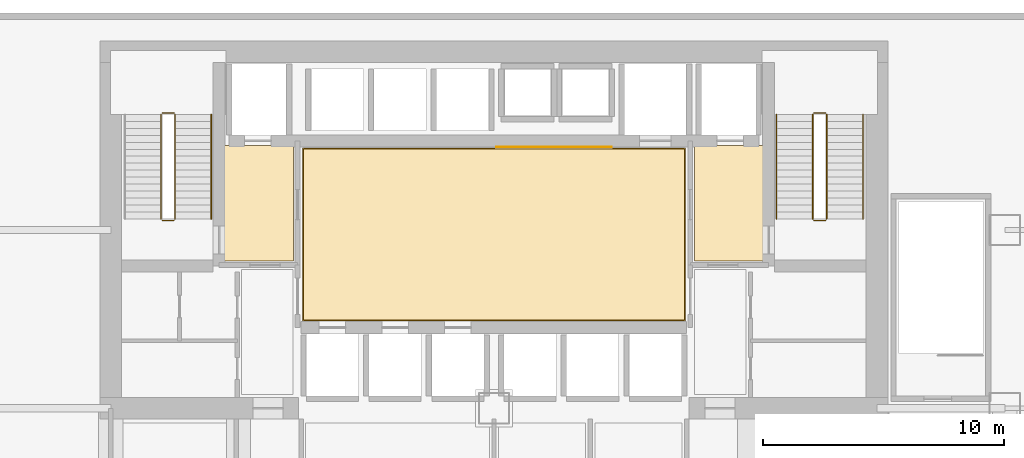
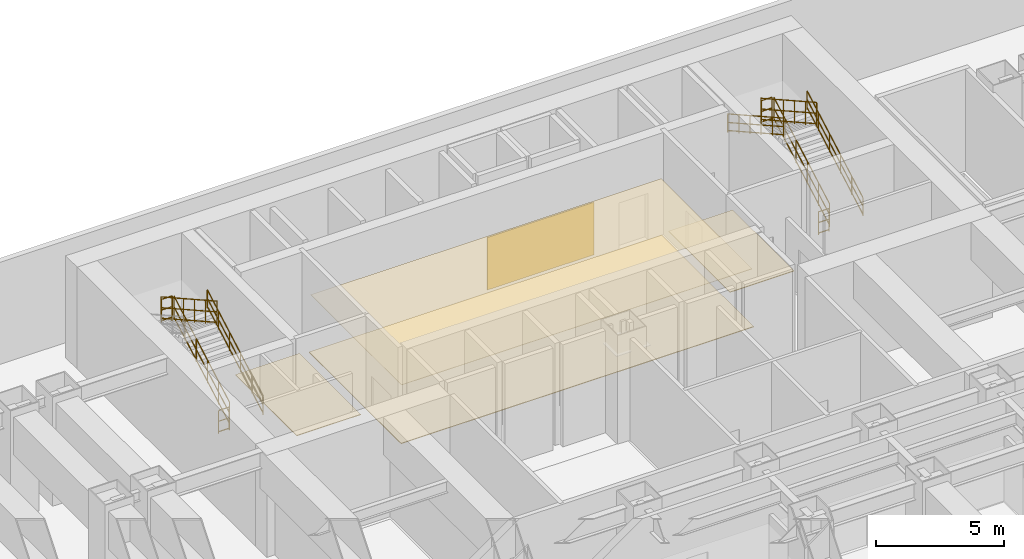
# One storey, part 12 of 12: 11 railings, 5 coverings.
"""IFC4 building model written with IfcOpenShell, lengths in metres."""

from ifc_helpers import new_model, si_unit, direction, frame, origin, origin_2d, place, context, subcontext, project, spatial, polyline, circle, outline, extrude, material, layer, layer_set, type_object, element, save


model = new_model("IFC4")

# Units and contexts
model_context = context("Model", 3, precision=1e-05, world=origin(), true_north=direction((0.0, 1.0)))
body_context = subcontext(model_context, "Body", "Model", "MODEL_VIEW")
ifc_project = project(units=[si_unit("LENGTHUNIT", "METRE"), si_unit("AREAUNIT", "SQUARE_METRE"), si_unit("VOLUMEUNIT", "CUBIC_METRE"), si_unit("PLANEANGLEUNIT", "RADIAN"), si_unit("MASSUNIT", "GRAM", prefix="KILO")], contexts=[model_context])

# Site, building, storey
site_placement = place(None, origin())
site = spatial("IfcSite", under=ifc_project, at=site_placement, CompositionType="ELEMENT")
building_placement = place(site_placement, origin())
building = spatial("IfcBuilding", under=site, at=building_placement, Name="Qianlan Lanfeng Residences", CompositionType="ELEMENT")
storey_placement = place(building_placement, frame((0.0, 0.0, 19.0)))
storey = spatial("IfcBuildingStorey", under=building, at=storey_placement, Name="L04", CompositionType="ELEMENT", Elevation=19.0)

# Coverings
ifc_material_1 = material(Name="Anodised Bronze Feature Wall Cladding")
ifc_layer_1 = layer(ifc_material_1, 0.02490234375)
ifc_layer_set_1 = layer_set([ifc_layer_1], Name="Anodised Bronze Feature Wall Cladding")
covering_type_1 = type_object("IfcCoveringType", Name="CLD-BRZ-25", PredefinedType="CLADDING", material=ifc_layer_set_1)
covering_1_placement = place(storey_placement, frame((0.0, 0.0, 0.14990234375)))
element("IfcCovering", 1, at=covering_1_placement, inside=storey, type_object=covering_type_1, Name="L04 Lift Lobby Bronze Feature Cladding", PredefinedType="CLADDING", context=body_context, shape_type="SweptSolid", body=[
    extrude(outline(polyline([(26.60009765625, 36.02490234375), (31.39990234375, 36.02490234375), (31.39990234375, 36.050048828125), (26.60009765625, 36.050048828125), (26.60009765625, 36.02490234375)])), origin(), (0.0, 0.0, 1.0), 2.5),
])
ifc_material_2 = material(Name="Acoustic Perforated Gypsum Ceiling Board")
ifc_layer_2 = layer(ifc_material_2, 0.02001953125)
ifc_layer_set_2 = layer_set([ifc_layer_2], Name="Acoustic Perforated Gypsum Ceiling Board")
covering_type_2 = type_object("IfcCoveringType", Name="CLG-GYP-15", PredefinedType="CEILING", material=ifc_layer_set_2)
covering_2_placement = place(storey_placement, frame((0.0, 0.0, 2.75)))
element("IfcCovering", 2, at=covering_2_placement, inside=storey, type_object=covering_type_2, Name="L04 Lift Lobby Suspended Ceiling", PredefinedType="CEILING", context=body_context, shape_type="SweptSolid", body=[
    extrude(outline(polyline([(18.60009765625, 28.8701171875), (34.39990234375, 28.8701171875), (34.39990234375, 35.9599609375), (18.60009765625, 35.9599609375), (18.60009765625, 28.8701171875)])), origin(), (0.0, 0.0, 1.0), 0.02001953125),
])
ifc_material_3 = material(Name="Honed Taitung Granite Stone Flooring", Category="masonry")
ifc_layer_3 = layer(ifc_material_3, 0.030029296875)
ifc_layer_set_3 = layer_set([ifc_layer_3], Name="Honed Taitung Granite Stone Flooring")
covering_type_3 = type_object("IfcCoveringType", Name="FLR-STN-30", PredefinedType="FLOORING", material=ifc_layer_set_3)
covering_3_placement = place(storey_placement, origin())
element("IfcCovering", 3, at=covering_3_placement, inside=storey, type_object=covering_type_3, Name="L04 Firefighting Lift Lobby Floor Finish", PredefinedType="FLOORING", context=body_context, shape_type="SweptSolid", body=[
    extrude(outline(polyline([(15.2900390625, 31.320068359375), (18.179931640625, 31.320068359375), (18.179931640625, 36.110107421875), (15.2900390625, 36.110107421875), (15.2900390625, 31.320068359375)])), origin(), (0.0, 0.0, 1.0), 0.030029296875),
])
covering_4_placement = place(storey_placement, origin())
element("IfcCovering", 4, at=covering_4_placement, inside=storey, type_object=covering_type_3, Name="L04 Firefighting Lift Lobby Floor Finish", PredefinedType="FLOORING", context=body_context, shape_type="SweptSolid", body=[
    extrude(outline(polyline([(34.820068359375, 31.320068359375), (37.7099609375, 31.320068359375), (37.7099609375, 36.110107421875), (34.820068359375, 36.110107421875), (34.820068359375, 31.320068359375)])), origin(), (0.0, 0.0, 1.0), 0.030029296875),
])
covering_5_placement = place(storey_placement, origin())
element("IfcCovering", 5, at=covering_5_placement, inside=storey, type_object=covering_type_3, Name="L04 Lift Lobby Floor Finish", PredefinedType="FLOORING", context=body_context, shape_type="SweptSolid", body=[
    extrude(outline(polyline([(18.550048828125, 28.820068359375), (34.449951171875, 28.820068359375), (34.449951171875, 36.010009765625), (18.550048828125, 36.010009765625), (18.550048828125, 28.820068359375)])), origin(), (0.0, 0.0, 1.0), 0.030029296875),
])

# Railings
ifc_material_4 = material(Name="Painted Galvanised Steel Guardrail", Category="steel")
railing_type_1 = type_object("IfcRailingType", Name="GR-ST-1120", PredefinedType="GUARDRAIL", material=ifc_material_4)
railing_1_placement = place(storey_placement, frame((13.27001953125, 33.050048828125, 0.16259765625)))
element("IfcRailing", 6, at=railing_1_placement, inside=storey, type_object=railing_type_1, Name="L04 ST-1 stair guard 1", PredefinedType="GUARDRAIL", context=body_context, shape_type="SweptSolid", body=[
    extrude(circle(Radius=0.02392578125, at=origin_2d()), frame((0.0, 0.0, 0.083984375), z_axis=(0.0, 0.872370723449, 0.488844884263), x_axis=(-1.0, 0.0, 0.0)), (0.0, 0.0, 1.0), 4.986328125),
    extrude(circle(Radius=0.02392578125, at=origin_2d()), frame((0.0, 0.0, 0.58251953125), z_axis=(0.0, 0.872370723449, 0.488844884263), x_axis=(-1.0, 0.0, 0.0)), (0.0, 0.0, 1.0), 4.986328125),
    extrude(circle(Radius=0.02392578125, at=origin_2d()), frame((0.0, 0.0, 1.09619140625), z_axis=(0.0, 0.872370723449, 0.488844884263), x_axis=(-1.0, 0.0, 0.0)), (0.0, 0.0, 1.0), 4.986328125),
    extrude(circle(Radius=0.02099609375, at=origin_2d()), origin(), (0.0, 0.0, 1.0), 1.072021484375),
    extrude(circle(Radius=0.02099609375, at=origin_2d()), frame((0.0, 0.869873046875, 0.487548828125)), (0.0, 0.0, 1.0), 1.072021484375),
    extrude(circle(Radius=0.02099609375, at=origin_2d()), frame((0.0, 1.739990234375, 0.97509765625)), (0.0, 0.0, 1.0), 1.072021484375),
    extrude(circle(Radius=0.02099609375, at=origin_2d()), frame((0.0, 2.60986328125, 1.46240234375)), (0.0, 0.0, 1.0), 1.072021484375),
    extrude(circle(Radius=0.02099609375, at=origin_2d()), frame((0.0, 3.47998046875, 1.949951171875)), (0.0, 0.0, 1.0), 1.072021484375),
    extrude(circle(Radius=0.02099609375, at=origin_2d()), frame((0.0, 4.349853515625, 2.4375)), (0.0, 0.0, 1.0), 1.072021484375),
])
railing_2_placement = place(storey_placement, frame((13.219970703125, 37.449951171875, 2.60009765625)))
element("IfcRailing", 7, at=railing_2_placement, inside=storey, type_object=railing_type_1, Name="L04 ST-1 stair guard 2", PredefinedType="GUARDRAIL", context=body_context, shape_type="SweptSolid", body=[
    extrude(circle(Radius=0.02392578125, at=origin_2d()), frame((0.0, 0.0, 0.083984375), z_axis=(-1.0, 0.0, 0.0), x_axis=(0.0, -1.0, 0.0)), (0.0, 0.0, 1.0), 0.47998046875),
    extrude(circle(Radius=0.02392578125, at=origin_2d()), frame((0.0, 0.0, 0.58251953125), z_axis=(-1.0, 0.0, 0.0), x_axis=(0.0, -1.0, 0.0)), (0.0, 0.0, 1.0), 0.47998046875),
    extrude(circle(Radius=0.02392578125, at=origin_2d()), frame((0.0, 0.0, 1.09619140625), z_axis=(-1.0, 0.0, 0.0), x_axis=(0.0, -1.0, 0.0)), (0.0, 0.0, 1.0), 0.47998046875),
    extrude(circle(Radius=0.02099609375, at=origin_2d()), origin(), (0.0, 0.0, 1.0), 1.072021484375),
    extrude(circle(Radius=0.02099609375, at=origin_2d()), frame((-0.47998046875, 0.0, 0.0)), (0.0, 0.0, 1.0), 1.072021484375),
])
railing_3_placement = place(storey_placement, frame((12.68994140625, 37.39990234375, 2.762451171875)))
element("IfcRailing", 8, at=railing_3_placement, inside=storey, type_object=railing_type_1, Name="L04 ST-1 stair guard 3", PredefinedType="GUARDRAIL", context=body_context, shape_type="SweptSolid", body=[
    extrude(circle(Radius=0.02392578125, at=origin_2d()), frame((0.0, 0.0, 0.083984375), z_axis=(0.0, -0.872370723449, 0.488844884263), x_axis=(1.0, 0.0, 0.0)), (0.0, 0.0, 1.0), 4.986328125),
    extrude(circle(Radius=0.02392578125, at=origin_2d()), frame((0.0, 0.0, 0.58251953125), z_axis=(0.0, -0.872370723449, 0.488844884263), x_axis=(1.0, 0.0, 0.0)), (0.0, 0.0, 1.0), 4.986328125),
    extrude(circle(Radius=0.02392578125, at=origin_2d()), frame((0.0, 0.0, 1.09619140625), z_axis=(0.0, -0.872370723449, 0.488844884263), x_axis=(1.0, 0.0, 0.0)), (0.0, 0.0, 1.0), 4.986328125),
    extrude(circle(Radius=0.02099609375, at=origin_2d()), origin(), (0.0, 0.0, 1.0), 1.072021484375),
    extrude(circle(Radius=0.02099609375, at=origin_2d()), frame((0.0, -0.869873046875, 0.487548828125)), (0.0, 0.0, 1.0), 1.072021484375),
    extrude(circle(Radius=0.02099609375, at=origin_2d()), frame((0.0, -1.739990234375, 0.97509765625)), (0.0, 0.0, 1.0), 1.072021484375),
    extrude(circle(Radius=0.02099609375, at=origin_2d()), frame((0.0, -2.60986328125, 1.46240234375)), (0.0, 0.0, 1.0), 1.072021484375),
    extrude(circle(Radius=0.02099609375, at=origin_2d()), frame((0.0, -3.47998046875, 1.949951171875)), (0.0, 0.0, 1.0), 1.072021484375),
    extrude(circle(Radius=0.02099609375, at=origin_2d()), frame((0.0, -4.349853515625, 2.4375)), (0.0, 0.0, 1.0), 1.072021484375),
])
railing_4_placement = place(storey_placement, frame((13.219970703125, 33.0, 0.0)))
element("IfcRailing", 9, at=railing_4_placement, inside=storey, type_object=railing_type_1, Name="L04 ST-1 stair guard 4", PredefinedType="GUARDRAIL", context=body_context, shape_type="SweptSolid", body=[
    extrude(circle(Radius=0.02392578125, at=origin_2d()), frame((0.0, 0.0, 0.083984375), z_axis=(-1.0, 0.0, 0.0), x_axis=(0.0, -1.0, 0.0)), (0.0, 0.0, 1.0), 0.47998046875),
    extrude(circle(Radius=0.02392578125, at=origin_2d()), frame((0.0, 0.0, 0.58251953125), z_axis=(-1.0, 0.0, 0.0), x_axis=(0.0, -1.0, 0.0)), (0.0, 0.0, 1.0), 0.47998046875),
    extrude(circle(Radius=0.02392578125, at=origin_2d()), frame((0.0, 0.0, 1.09619140625), z_axis=(-1.0, 0.0, 0.0), x_axis=(0.0, -1.0, 0.0)), (0.0, 0.0, 1.0), 0.47998046875),
    extrude(circle(Radius=0.02099609375, at=origin_2d()), origin(), (0.0, 0.0, 1.0), 1.072021484375),
    extrude(circle(Radius=0.02099609375, at=origin_2d()), frame((-0.47998046875, 0.0, 0.0)), (0.0, 0.0, 1.0), 1.072021484375),
])
railing_5_placement = place(storey_placement, frame((40.31005859375, 33.050048828125, 0.16259765625)))
element("IfcRailing", 10, at=railing_5_placement, inside=storey, type_object=railing_type_1, Name="L04 ST-2 stair guard 1", PredefinedType="GUARDRAIL", context=body_context, shape_type="SweptSolid", body=[
    extrude(circle(Radius=0.02392578125, at=origin_2d()), frame((0.0, 0.0, 0.083984375), z_axis=(0.0, 0.872370723449, 0.488844884263), x_axis=(-1.0, 0.0, 0.0)), (0.0, 0.0, 1.0), 4.986328125),
    extrude(circle(Radius=0.02392578125, at=origin_2d()), frame((0.0, 0.0, 0.58251953125), z_axis=(0.0, 0.872370723449, 0.488844884263), x_axis=(-1.0, 0.0, 0.0)), (0.0, 0.0, 1.0), 4.986328125),
    extrude(circle(Radius=0.02392578125, at=origin_2d()), frame((0.0, 0.0, 1.09619140625), z_axis=(0.0, 0.872370723449, 0.488844884263), x_axis=(-1.0, 0.0, 0.0)), (0.0, 0.0, 1.0), 4.986328125),
    extrude(circle(Radius=0.02099609375, at=origin_2d()), origin(), (0.0, 0.0, 1.0), 1.072021484375),
    extrude(circle(Radius=0.02099609375, at=origin_2d()), frame((0.0, 0.869873046875, 0.487548828125)), (0.0, 0.0, 1.0), 1.072021484375),
    extrude(circle(Radius=0.02099609375, at=origin_2d()), frame((0.0, 1.739990234375, 0.97509765625)), (0.0, 0.0, 1.0), 1.072021484375),
    extrude(circle(Radius=0.02099609375, at=origin_2d()), frame((0.0, 2.60986328125, 1.46240234375)), (0.0, 0.0, 1.0), 1.072021484375),
    extrude(circle(Radius=0.02099609375, at=origin_2d()), frame((0.0, 3.47998046875, 1.949951171875)), (0.0, 0.0, 1.0), 1.072021484375),
    extrude(circle(Radius=0.02099609375, at=origin_2d()), frame((0.0, 4.349853515625, 2.4375)), (0.0, 0.0, 1.0), 1.072021484375),
])
railing_6_placement = place(storey_placement, frame((40.260009765625, 37.449951171875, 2.60009765625)))
element("IfcRailing", 11, at=railing_6_placement, inside=storey, type_object=railing_type_1, Name="L04 ST-2 stair guard 2", PredefinedType="GUARDRAIL", context=body_context, shape_type="SweptSolid", body=[
    extrude(circle(Radius=0.02392578125, at=origin_2d()), frame((0.0, 0.0, 0.083984375), z_axis=(-1.0, 0.0, 0.0), x_axis=(0.0, -1.0, 0.0)), (0.0, 0.0, 1.0), 0.47998046875),
    extrude(circle(Radius=0.02392578125, at=origin_2d()), frame((0.0, 0.0, 0.58251953125), z_axis=(-1.0, 0.0, 0.0), x_axis=(0.0, -1.0, 0.0)), (0.0, 0.0, 1.0), 0.47998046875),
    extrude(circle(Radius=0.02392578125, at=origin_2d()), frame((0.0, 0.0, 1.09619140625), z_axis=(-1.0, 0.0, 0.0), x_axis=(0.0, -1.0, 0.0)), (0.0, 0.0, 1.0), 0.47998046875),
    extrude(circle(Radius=0.02099609375, at=origin_2d()), origin(), (0.0, 0.0, 1.0), 1.072021484375),
    extrude(circle(Radius=0.02099609375, at=origin_2d()), frame((-0.47998046875, 0.0, 0.0)), (0.0, 0.0, 1.0), 1.072021484375),
])
railing_7_placement = place(storey_placement, frame((39.72998046875, 37.39990234375, 2.762451171875)))
element("IfcRailing", 12, at=railing_7_placement, inside=storey, type_object=railing_type_1, Name="L04 ST-2 stair guard 3", PredefinedType="GUARDRAIL", context=body_context, shape_type="SweptSolid", body=[
    extrude(circle(Radius=0.02392578125, at=origin_2d()), frame((0.0, 0.0, 0.083984375), z_axis=(0.0, -0.872370723449, 0.488844884263), x_axis=(1.0, 0.0, 0.0)), (0.0, 0.0, 1.0), 4.986328125),
    extrude(circle(Radius=0.02392578125, at=origin_2d()), frame((0.0, 0.0, 0.58251953125), z_axis=(0.0, -0.872370723449, 0.488844884263), x_axis=(1.0, 0.0, 0.0)), (0.0, 0.0, 1.0), 4.986328125),
    extrude(circle(Radius=0.02392578125, at=origin_2d()), frame((0.0, 0.0, 1.09619140625), z_axis=(0.0, -0.872370723449, 0.488844884263), x_axis=(1.0, 0.0, 0.0)), (0.0, 0.0, 1.0), 4.986328125),
    extrude(circle(Radius=0.02099609375, at=origin_2d()), origin(), (0.0, 0.0, 1.0), 1.072021484375),
    extrude(circle(Radius=0.02099609375, at=origin_2d()), frame((0.0, -0.869873046875, 0.487548828125)), (0.0, 0.0, 1.0), 1.072021484375),
    extrude(circle(Radius=0.02099609375, at=origin_2d()), frame((0.0, -1.739990234375, 0.97509765625)), (0.0, 0.0, 1.0), 1.072021484375),
    extrude(circle(Radius=0.02099609375, at=origin_2d()), frame((0.0, -2.60986328125, 1.46240234375)), (0.0, 0.0, 1.0), 1.072021484375),
    extrude(circle(Radius=0.02099609375, at=origin_2d()), frame((0.0, -3.47998046875, 1.949951171875)), (0.0, 0.0, 1.0), 1.072021484375),
    extrude(circle(Radius=0.02099609375, at=origin_2d()), frame((0.0, -4.349853515625, 2.4375)), (0.0, 0.0, 1.0), 1.072021484375),
])
railing_8_placement = place(storey_placement, frame((40.260009765625, 33.0, 0.0)))
element("IfcRailing", 13, at=railing_8_placement, inside=storey, type_object=railing_type_1, Name="L04 ST-2 stair guard 4", PredefinedType="GUARDRAIL", context=body_context, shape_type="SweptSolid", body=[
    extrude(circle(Radius=0.02392578125, at=origin_2d()), frame((0.0, 0.0, 0.083984375), z_axis=(-1.0, 0.0, 0.0), x_axis=(0.0, -1.0, 0.0)), (0.0, 0.0, 1.0), 0.47998046875),
    extrude(circle(Radius=0.02392578125, at=origin_2d()), frame((0.0, 0.0, 0.58251953125), z_axis=(-1.0, 0.0, 0.0), x_axis=(0.0, -1.0, 0.0)), (0.0, 0.0, 1.0), 0.47998046875),
    extrude(circle(Radius=0.02392578125, at=origin_2d()), frame((0.0, 0.0, 1.09619140625), z_axis=(-1.0, 0.0, 0.0), x_axis=(0.0, -1.0, 0.0)), (0.0, 0.0, 1.0), 0.47998046875),
    extrude(circle(Radius=0.02099609375, at=origin_2d()), origin(), (0.0, 0.0, 1.0), 1.072021484375),
    extrude(circle(Radius=0.02099609375, at=origin_2d()), frame((-0.47998046875, 0.0, 0.0)), (0.0, 0.0, 1.0), 1.072021484375),
])
ifc_material_5 = material(Name="Brushed Stainless Steel Handrail", Category="steel")
railing_type_2 = type_object("IfcRailingType", Name="HR-ST-920", PredefinedType="HANDRAIL", material=ifc_material_5)
for number, where, name in (
    (14, (14.77001953125, 33.050048828125, 0.16259765625), "L04 ST-1 stair handrail 1"),
    (15, (41.81005859375, 33.050048828125, 0.16259765625), "L04 ST-2 stair handrail 1"),
):
    element("IfcRailing", number, at=place(storey_placement, frame(where)), inside=storey, type_object=railing_type_2, Name=name, PredefinedType="HANDRAIL", context=body_context, shape_type="SweptSolid", body=[
        extrude(circle(Radius=0.02392578125, at=origin_2d()), frame((0.0, 0.0, 0.083984375), z_axis=(0.0, 0.872370723449, 0.488844884263), x_axis=(-1.0, 0.0, 0.0)), (0.0, 0.0, 1.0), 4.986328125),
        extrude(circle(Radius=0.02392578125, at=origin_2d()), frame((0.0, 0.0, 0.468017578125), z_axis=(0.0, 0.872370723449, 0.488844884263), x_axis=(-1.0, 0.0, 0.0)), (0.0, 0.0, 1.0), 4.986328125),
        extrude(circle(Radius=0.02392578125, at=origin_2d()), frame((0.0, 0.0, 0.8759765625), z_axis=(0.0, 0.872370723449, 0.488844884263), x_axis=(-1.0, 0.0, 0.0)), (0.0, 0.0, 1.0), 4.986328125),
        extrude(circle(Radius=0.02099609375, at=origin_2d()), origin(), (0.0, 0.0, 1.0), 0.851806640625),
        extrude(circle(Radius=0.02099609375, at=origin_2d()), frame((0.0, 0.869873046875, 0.487548828125)), (0.0, 0.0, 1.0), 0.851806640625),
        extrude(circle(Radius=0.02099609375, at=origin_2d()), frame((0.0, 1.739990234375, 0.97509765625)), (0.0, 0.0, 1.0), 0.851806640625),
        extrude(circle(Radius=0.02099609375, at=origin_2d()), frame((0.0, 2.60986328125, 1.46240234375)), (0.0, 0.0, 1.0), 0.851806640625),
        extrude(circle(Radius=0.02099609375, at=origin_2d()), frame((0.0, 3.47998046875, 1.949951171875)), (0.0, 0.0, 1.0), 0.851806640625),
        extrude(circle(Radius=0.02099609375, at=origin_2d()), frame((0.0, 4.349853515625, 2.4375)), (0.0, 0.0, 1.0), 0.851806640625),
    ])
railing_9_placement = place(storey_placement, frame((38.22998046875, 37.39990234375, 2.762451171875)))
element("IfcRailing", 16, at=railing_9_placement, inside=storey, type_object=railing_type_2, Name="L04 ST-2 stair handrail 2", PredefinedType="HANDRAIL", context=body_context, shape_type="SweptSolid", body=[
    extrude(circle(Radius=0.02392578125, at=origin_2d()), frame((0.0, 0.0, 0.083984375), z_axis=(0.0, -0.872370723449, 0.488844884263), x_axis=(1.0, 0.0, 0.0)), (0.0, 0.0, 1.0), 4.986328125),
    extrude(circle(Radius=0.02392578125, at=origin_2d()), frame((0.0, 0.0, 0.468017578125), z_axis=(0.0, -0.872370723449, 0.488844884263), x_axis=(1.0, 0.0, 0.0)), (0.0, 0.0, 1.0), 4.986328125),
    extrude(circle(Radius=0.02392578125, at=origin_2d()), frame((0.0, 0.0, 0.8759765625), z_axis=(0.0, -0.872370723449, 0.488844884263), x_axis=(1.0, 0.0, 0.0)), (0.0, 0.0, 1.0), 4.986328125),
    extrude(circle(Radius=0.02099609375, at=origin_2d()), origin(), (0.0, 0.0, 1.0), 0.851806640625),
    extrude(circle(Radius=0.02099609375, at=origin_2d()), frame((0.0, -0.869873046875, 0.487548828125)), (0.0, 0.0, 1.0), 0.851806640625),
    extrude(circle(Radius=0.02099609375, at=origin_2d()), frame((0.0, -1.739990234375, 0.97509765625)), (0.0, 0.0, 1.0), 0.851806640625),
    extrude(circle(Radius=0.02099609375, at=origin_2d()), frame((0.0, -2.60986328125, 1.46240234375)), (0.0, 0.0, 1.0), 0.851806640625),
    extrude(circle(Radius=0.02099609375, at=origin_2d()), frame((0.0, -3.47998046875, 1.949951171875)), (0.0, 0.0, 1.0), 0.851806640625),
    extrude(circle(Radius=0.02099609375, at=origin_2d()), frame((0.0, -4.349853515625, 2.4375)), (0.0, 0.0, 1.0), 0.851806640625),
])

save(model, "model.ifc")
